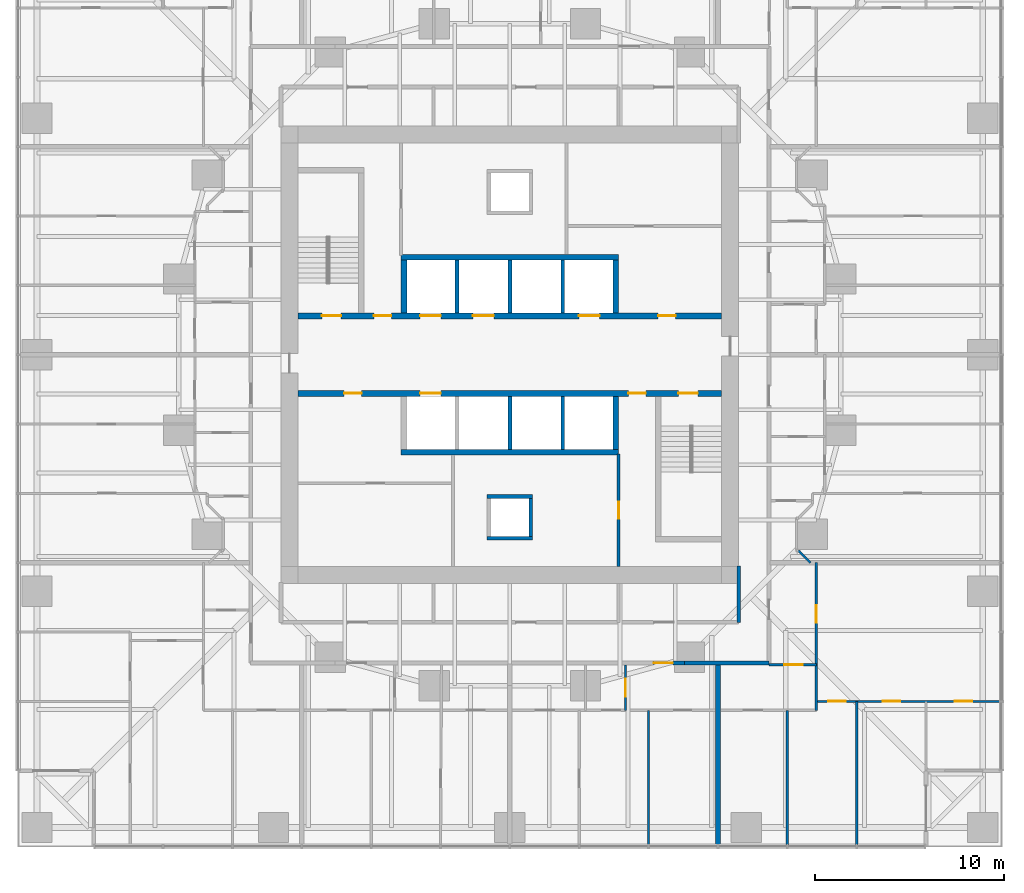
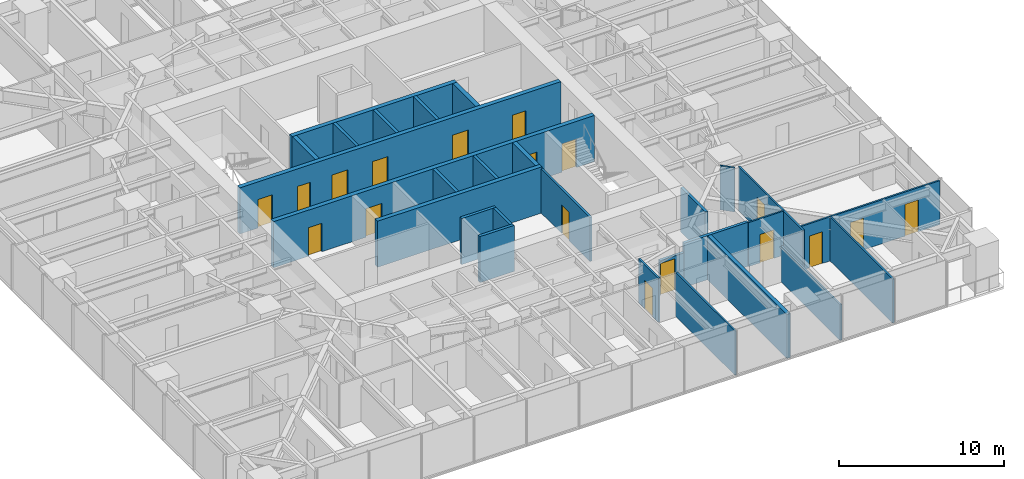
# One storey, part 11 of 18: 28 walls, 18 doors, 18 openings.
"""IFC4 building model written with IfcOpenShell, lengths in metres."""

import ifcopenshell
import ifcopenshell.guid

model = None  # the IFC model being written
_history = None  # IfcOwnerHistory: only IFC2X3 demands one
_inside = {}  # id of a spatial element -> (the spatial element, [elements in it])
_under = {}  # id of a project, library or spatial element -> (it, [spatial elements below it])
_declared = {}  # id of a project -> (the project, [libraries it declares])
_typed = {}  # id of a type object -> (the type object, [elements of that type])
_made_of = {}  # id of a material, layer set ... -> (it, [elements and type objects made of it])


def new_model(schema):
    """Start an empty IFC model of exactly this schema.

    Asked for "IFC4X3", IfcOpenShell would pick the latest addendum, in which some entities
    have other attributes; the version numbers below select the first issue.
    IFC2X3 requires an IfcOwnerHistory on every rooted entity: one is made here for all.
    """
    global model, _history
    if schema == "IFC4X3":
        model = ifcopenshell.file(schema_version=(4, 3, 0, 0))
    else:
        model = ifcopenshell.file(schema=schema)
    _inside.clear()
    _under.clear()
    _declared.clear()
    _typed.clear()
    _made_of.clear()
    _history = None
    if model.schema == "IFC2X3":
        org = make("IfcOrganization", Name="unknown")
        user = make(
            "IfcPersonAndOrganization",
            ThePerson=make("IfcPerson", FamilyName="unknown"),
            TheOrganization=org,
        )
        app = make(
            "IfcApplication",
            ApplicationDeveloper=org,
            Version="unknown",
            ApplicationFullName="unknown",
            ApplicationIdentifier="unknown",
        )
        _history = make(
            "IfcOwnerHistory",
            OwningUser=user,
            OwningApplication=app,
            ChangeAction="ADDED",
            CreationDate=0,
        )
    return model


def make(cls, **values):
    """One entity of the class cls with the attributes given. An attribute that is None is left unset."""
    return model.create_entity(
        cls, **{name: value for name, value in values.items() if value is not None}
    )


def rooted(cls, **values):
    """An entity with a GlobalId (a new one), such as an element, a storey or a relation."""
    return make(cls, GlobalId=ifcopenshell.guid.new(), OwnerHistory=_history, **values)


def si_unit(unit_type, name, prefix=None):
    """IfcSIUnit, for example si_unit("LENGTHUNIT", "METRE", prefix="MILLI")."""
    return make("IfcSIUnit", UnitType=unit_type, Prefix=prefix, Name=name)


def assignment(units):
    """IfcUnitAssignment: the units of a project."""
    return None if units is None else make("IfcUnitAssignment", Units=units)


def point(xyz):
    """IfcCartesianPoint."""
    return None if xyz is None else make("IfcCartesianPoint", Coordinates=xyz)


def direction(xyz):
    """IfcDirection."""
    return None if xyz is None else make("IfcDirection", DirectionRatios=xyz)


def frame(location, z_axis=None, x_axis=None):
    """IfcAxis2Placement3D, a coordinate frame: its origin and axes. An axis left out is left unset."""
    return make(
        "IfcAxis2Placement3D",
        Location=point(location),
        Axis=direction(z_axis),
        RefDirection=direction(x_axis),
    )


def frame_2d(location, x_axis=None):
    """IfcAxis2Placement2D, a coordinate frame in the plane: its origin and x axis."""
    return make(
        "IfcAxis2Placement2D", Location=point(location), RefDirection=direction(x_axis)
    )


def origin():
    """The frame at (0, 0, 0) with its axes left unset."""
    return frame((0.0, 0.0, 0.0))


def place(relative_to, where):
    """IfcLocalPlacement: puts the frame where relative to a parent placement (None: the world)."""
    return make(
        "IfcLocalPlacement", PlacementRelTo=relative_to, RelativePlacement=where
    )


def context(
    kind, dimensions, precision=None, world=None, true_north=None, identifier=None
):
    """IfcGeometricRepresentationContext, for example the 3D "Model" context."""
    return make(
        "IfcGeometricRepresentationContext",
        ContextIdentifier=identifier,
        ContextType=kind,
        CoordinateSpaceDimension=dimensions,
        Precision=precision,
        WorldCoordinateSystem=world,
        TrueNorth=true_north,
    )


def subcontext(parent, identifier, kind, view, scale=None):
    """IfcGeometricRepresentationSubContext, for example "Body" below "Model"."""
    return make(
        "IfcGeometricRepresentationSubContext",
        ContextIdentifier=identifier,
        ContextType=kind,
        ParentContext=parent,
        TargetScale=scale,
        TargetView=view,
    )


def project(units=None, contexts=None):
    """IfcProject with its units and contexts."""
    return rooted(
        "IfcProject",
        Name="project",
        RepresentationContexts=contexts,
        UnitsInContext=assignment(units),
    )


def spatial(cls, under=None, at=None, **own):
    """A site, building, storey or space (cls), placed at a placement, below another one or the project."""
    s = rooted(cls, ObjectPlacement=at, **own)
    if under is not None:
        _under.setdefault(under.id(), (under, []))[1].append(s)
    return s


def profile(cls, at=None, kind="AREA", **sizes):
    """A parametric profile (cls). Its sizes go by their IFC names, for example OverallWidth=200.0."""
    return make(cls, ProfileType=kind, Position=at, **sizes)


def rectangle(**sizes):
    """IfcRectangleProfileDef."""
    return profile("IfcRectangleProfileDef", **sizes)


def extrude(swept, where, along, depth):
    """IfcExtrudedAreaSolid: the profile swept, set in the frame where, extruded along a direction by depth."""
    return make(
        "IfcExtrudedAreaSolid",
        SweptArea=swept,
        Position=where,
        ExtrudedDirection=direction(along),
        Depth=depth,
    )


def shape(context_of_items, identifier, shape_type, items):
    """IfcShapeRepresentation: the items that make up one representation, for example the "Body"."""
    return make(
        "IfcShapeRepresentation",
        ContextOfItems=context_of_items,
        RepresentationIdentifier=identifier,
        RepresentationType=shape_type,
        Items=items,
    )


def material(Name=None, Category=None):
    """IfcMaterial."""
    return make("IfcMaterial", Name=Name, Category=Category)


def layer(
    of_material, thickness, ventilated=None, Name=None, Category=None, Priority=None
):
    """IfcMaterialLayer: one layer of a wall or slab, of a material (None: an air gap)."""
    return make(
        "IfcMaterialLayer",
        Material=of_material,
        LayerThickness=thickness,
        IsVentilated=ventilated,
        Name=Name,
        Category=Category,
        Priority=Priority,
    )


def layer_set(layers, Name=None):
    """IfcMaterialLayerSet."""
    return make("IfcMaterialLayerSet", MaterialLayers=layers, LayerSetName=Name)


def made_of(thing, what):
    """Note that an element or type object is made of a material, layer set ...; save() writes the relation."""
    if what is not None:
        _made_of.setdefault(what.id(), (what, []))[1].append(thing)
    return thing


def type_object(cls, material=None, **own):
    """A type object (cls), such as IfcWallType, which elements share."""
    return made_of(rooted(cls, **own), material)


def element(
    cls,
    number,
    at=None,
    inside=None,
    cuts=None,
    type_object=None,
    material=None,
    context=None,
    identifier="Body",
    shape_type=None,
    held_by="IfcProductDefinitionShape",
    body=None,
    shapes=None,
    **own,
):
    """One element of the class cls, such as IfcWall. Its Tag is "e" and its number.

    at: its placement. inside: the storey or other place that contains it. cuts: it is an
    opening in that element (IfcRelVoidsElement). A single representation is given by context,
    identifier, shape_type and body (its items); several are given by shapes. held_by: the class
    of the entity that holds the representations. save() writes the other relations.
    """
    e = rooted(cls, Tag="e%d" % number, ObjectPlacement=at, **own)
    if body is not None:
        shapes = [shape(context, identifier, shape_type, body)]
    if shapes is not None:
        e.Representation = make(held_by, Representations=shapes)
    if inside is not None:
        _inside.setdefault(inside.id(), (inside, []))[1].append(e)
    if cuts is not None:
        rooted(
            "IfcRelVoidsElement", RelatingBuildingElement=cuts, RelatedOpeningElement=e
        )
    if type_object is not None:
        _typed.setdefault(type_object.id(), (type_object, []))[1].append(e)
    return made_of(e, material)


def fill(opening, filler):
    """IfcRelFillsElement: the door or window that sits in an opening."""
    return rooted(
        "IfcRelFillsElement",
        RelatingOpeningElement=opening,
        RelatedBuildingElement=filler,
    )


def aggregate(whole, parts):
    """IfcRelAggregates: a whole, such as a stair, and the parts it consists of."""
    return rooted("IfcRelAggregates", RelatingObject=whole, RelatedObjects=parts)


def save(model, path):
    """Write the relations noted so far, then the file.

    IfcRelAggregates (storeys below a building ...), IfcRelContainedInSpatialStructure (elements
    in a storey), IfcRelDefinesByType, IfcRelAssociatesMaterial and IfcRelDeclares: one each for
    every whole, place, type object, material and project.
    """
    for whole, parts in _under.values():
        aggregate(whole, parts)
    for where, things in _inside.values():
        rooted(
            "IfcRelContainedInSpatialStructure",
            RelatedElements=things,
            RelatingStructure=where,
        )
    for kind, things in _typed.values():
        rooted("IfcRelDefinesByType", RelatedObjects=things, RelatingType=kind)
    for what, things in _made_of.values():
        rooted("IfcRelAssociatesMaterial", RelatedObjects=things, RelatingMaterial=what)
    for by, libraries in _declared.values():
        rooted("IfcRelDeclares", RelatingContext=by, RelatedDefinitions=libraries)
    model.write(path)


model = new_model("IFC4")

# Units and contexts
model_context = context("Model", 3, precision=1e-05, world=origin(), true_north=direction((0.0, 1.0)))
body_context = subcontext(model_context, "Body", "Model", "MODEL_VIEW")
ifc_project = project(units=[si_unit("LENGTHUNIT", "METRE"), si_unit("AREAUNIT", "SQUARE_METRE"), si_unit("VOLUMEUNIT", "CUBIC_METRE"), si_unit("PLANEANGLEUNIT", "RADIAN"), si_unit("MASSUNIT", "GRAM", prefix="KILO")], contexts=[model_context])

# Site, building, storey
site_placement = place(None, origin())
site = spatial("IfcSite", under=ifc_project, at=site_placement, CompositionType="ELEMENT")
building_placement = place(site_placement, origin())
building = spatial("IfcBuilding", under=site, at=building_placement, Name="Torsade Residences", CompositionType="ELEMENT")
storey_placement = place(building_placement, frame((0.0, 0.0, 28.60009765625)))
storey = spatial("IfcBuildingStorey", under=building, at=storey_placement, Name="L07", CompositionType="ELEMENT", Elevation=28.60009765625)

# Wall, openings, doors
ifc_material_1 = material(Name="Concrete 80 MPa", Category="concrete")
ifc_layer_1 = layer(ifc_material_1, 0.300048828125)
ifc_layer_set_1 = layer_set([ifc_layer_1], Name="Concrete 80 MPa")
wall_type_1 = type_object("IfcWallType", Name="CORE INTERNAL WALL 300", PredefinedType="SHEAR", material=ifc_layer_set_1)
wall_1_placement = place(storey_placement, frame((28.800048828125, 32.050048828125, 0.0), z_axis=(0.0, 0.0, 1.0), x_axis=(1.0, 0.0, 0.0)))
wall_1 = element("IfcWall", 1, at=wall_1_placement, inside=storey, type_object=wall_type_1, Name="Core wall LN L07", PredefinedType="SHEAR", context=body_context, shape_type="SweptSolid", body=[
    extrude(rectangle(XDim=22.39990234375, YDim=0.300048828125, at=frame_2d((11.199951171875, 0.0))), origin(), (0.0, 0.0, 1.0), 3.39990234375),
])
opening_1_placement = place(wall_1_placement, frame((19.0400390625, 0.0, 0.0)))
opening_1 = element("IfcOpeningElement", 2, at=opening_1_placement, cuts=wall_1, Name="Opening D06", PredefinedType="OPENING", context=body_context, shape_type="SweptSolid", body=[
    extrude(rectangle(XDim=0.919921875, YDim=2.10009765625, at=frame_2d((0.4599609375, 1.050048828125))), frame((0.0, 0.159912109375, 0.0), z_axis=(0.0, -1.0, 0.0), x_axis=(1.0, 0.0, 0.0)), (0.0, 0.0, 1.0), 0.320068359375),
])
opening_2_placement = place(wall_1_placement, frame((1.264892578125, 0.0, 0.0)))
opening_2 = element("IfcOpeningElement", 3, at=opening_2_placement, cuts=wall_1, Name="Opening D03", PredefinedType="OPENING", context=body_context, shape_type="SweptSolid", body=[
    extrude(rectangle(XDim=1.02001953125, YDim=2.10009765625, at=frame_2d((0.510009765625, 1.050048828125))), frame((0.0, 0.159912109375, 0.0), z_axis=(0.0, -1.0, 0.0), x_axis=(1.0, 0.0, 0.0)), (0.0, 0.0, 1.0), 0.320068359375),
])
opening_3_placement = place(wall_1_placement, frame((4.014892578125, 0.0, 0.0)))
opening_3 = element("IfcOpeningElement", 4, at=opening_3_placement, cuts=wall_1, Name="Opening D06", PredefinedType="OPENING", context=body_context, shape_type="SweptSolid", body=[
    extrude(rectangle(XDim=0.919921875, YDim=2.10009765625, at=frame_2d((0.4599609375, 1.050048828125))), frame((0.0, 0.159912109375, 0.0), z_axis=(0.0, -1.0, 0.0), x_axis=(1.0, 0.0, 0.0)), (0.0, 0.0, 1.0), 0.320068359375),
])
opening_4_placement = place(wall_1_placement, frame((6.449951171875, 0.0, 0.0)))
opening_4 = element("IfcOpeningElement", 5, at=opening_4_placement, cuts=wall_1, Name="Opening LD", PredefinedType="OPENING", context=body_context, shape_type="SweptSolid", body=[
    extrude(rectangle(XDim=1.10009765625, YDim=2.10009765625, at=frame_2d((0.550048828125, 1.050048828125))), frame((0.0, 0.159912109375, 0.0), z_axis=(0.0, -1.0, 0.0), x_axis=(1.0, 0.0, 0.0)), (0.0, 0.0, 1.0), 0.320068359375),
])
opening_5_placement = place(wall_1_placement, frame((9.25, 0.0, 0.0)))
opening_5 = element("IfcOpeningElement", 6, at=opening_5_placement, cuts=wall_1, Name="Opening LD", PredefinedType="OPENING", context=body_context, shape_type="SweptSolid", body=[
    extrude(rectangle(XDim=1.10009765625, YDim=2.10009765625, at=frame_2d((0.550048828125, 1.050048828125))), frame((0.0, 0.159912109375, 0.0), z_axis=(0.0, -1.0, 0.0), x_axis=(1.0, 0.0, 0.0)), (0.0, 0.0, 1.0), 0.320068359375),
])
opening_6_placement = place(wall_1_placement, frame((14.85009765625, 0.0, 0.0)))
opening_6 = element("IfcOpeningElement", 7, at=opening_6_placement, cuts=wall_1, Name="Opening LD", PredefinedType="OPENING", context=body_context, shape_type="SweptSolid", body=[
    extrude(rectangle(XDim=1.10009765625, YDim=2.10009765625, at=frame_2d((0.550048828125, 1.050048828125))), frame((0.0, 0.159912109375, 0.0), z_axis=(0.0, -1.0, 0.0), x_axis=(1.0, 0.0, 0.0)), (0.0, 0.0, 1.0), 0.320068359375),
])
ifc_material_2 = material(Name="Steel-framed fire door", Category="steel")
door_type_1 = type_object("IfcDoorType", Name="FIRE DOOR 1020", OperationType="NOTDEFINED", PredefinedType="DOOR", material=ifc_material_2)
door_1_placement = place(opening_2_placement, origin())
door_1 = element("IfcDoor", 8, at=door_1_placement, inside=storey, type_object=door_type_1, Name="Exit door to fire-isolated stair ST1 L07", OperationType="SINGLE_SWING_RIGHT", OverallHeight=2.10009765625, OverallWidth=1.02001953125, PredefinedType="DOOR", context=body_context, shape_type="SweptSolid", body=[
    extrude(rectangle(XDim=1.02001953125, YDim=2.10009765625, at=frame_2d((0.510009765625, 1.050048828125))), frame((0.0, 0.02490234375, 0.0), z_axis=(0.0, -1.0, 0.0), x_axis=(1.0, 0.0, 0.0)), (0.0, 0.0, 1.0), 0.050048828125),
])
fill(opening_2, door_1)
ifc_material_3 = material(Name="Steel-framed fire door", Category="steel")
door_type_2 = type_object("IfcDoorType", Name="FIRE DOOR 920", OperationType="NOTDEFINED", PredefinedType="DOOR", material=ifc_material_3)
door_2_placement = place(opening_1_placement, origin())
door_2 = element("IfcDoor", 9, at=door_2_placement, inside=storey, type_object=door_type_2, Name="Door Lift lobby to Refuse room", OperationType="SINGLE_SWING_LEFT", OverallHeight=2.10009765625, OverallWidth=0.919921875, PredefinedType="DOOR", context=body_context, shape_type="SweptSolid", body=[
    extrude(rectangle(XDim=0.919921875, YDim=2.10009765625, at=frame_2d((0.4599609375, 1.050048828125))), frame((0.0, 0.02490234375, 0.0), z_axis=(0.0, -1.0, 0.0), x_axis=(1.0, 0.0, 0.0)), (0.0, 0.0, 1.0), 0.050048828125),
])
fill(opening_1, door_2)
door_3_placement = place(opening_3_placement, origin())
door_3 = element("IfcDoor", 10, at=door_3_placement, inside=storey, type_object=door_type_2, Name="Door Lift lobby to Main switchboard store", OperationType="SINGLE_SWING_LEFT", OverallHeight=2.10009765625, OverallWidth=0.919921875, PredefinedType="DOOR", context=body_context, shape_type="SweptSolid", body=[
    extrude(rectangle(XDim=0.919921875, YDim=2.10009765625, at=frame_2d((0.4599609375, 1.050048828125))), frame((0.0, 0.02490234375, 0.0), z_axis=(0.0, -1.0, 0.0), x_axis=(1.0, 0.0, 0.0)), (0.0, 0.0, 1.0), 0.050048828125),
])
fill(opening_3, door_3)
ifc_material_4 = material(Name="Stainless steel lift landing door", Category="steel")
door_type_3 = type_object("IfcDoorType", Name="LIFT LANDING DOOR 1100", OperationType="SLIDING_TO_LEFT", PredefinedType="DOOR", material=ifc_material_4)
door_4_placement = place(opening_4_placement, origin())
door_4 = element("IfcDoor", 11, at=door_4_placement, inside=storey, type_object=door_type_3, Name="Lift LA1 landing door L07", OperationType="SLIDING_TO_LEFT", OverallHeight=2.10009765625, OverallWidth=1.10009765625, PredefinedType="DOOR", context=body_context, shape_type="SweptSolid", body=[
    extrude(rectangle(XDim=1.10009765625, YDim=2.10009765625, at=frame_2d((0.550048828125, 1.050048828125))), frame((0.0, 0.02490234375, 0.0), z_axis=(0.0, -1.0, 0.0), x_axis=(1.0, 0.0, 0.0)), (0.0, 0.0, 1.0), 0.050048828125),
])
fill(opening_4, door_4)
door_5_placement = place(opening_5_placement, origin())
door_5 = element("IfcDoor", 12, at=door_5_placement, inside=storey, type_object=door_type_3, Name="Lift LA2 landing door L07", OperationType="SLIDING_TO_LEFT", OverallHeight=2.10009765625, OverallWidth=1.10009765625, PredefinedType="DOOR", context=body_context, shape_type="SweptSolid", body=[
    extrude(rectangle(XDim=1.10009765625, YDim=2.10009765625, at=frame_2d((0.550048828125, 1.050048828125))), frame((0.0, 0.02490234375, 0.0), z_axis=(0.0, -1.0, 0.0), x_axis=(1.0, 0.0, 0.0)), (0.0, 0.0, 1.0), 0.050048828125),
])
fill(opening_5, door_5)
door_6_placement = place(opening_6_placement, origin())
door_6 = element("IfcDoor", 13, at=door_6_placement, inside=storey, type_object=door_type_3, Name="Lift FL1 landing door L07", OperationType="SLIDING_TO_LEFT", OverallHeight=2.10009765625, OverallWidth=1.10009765625, PredefinedType="DOOR", context=body_context, shape_type="SweptSolid", body=[
    extrude(rectangle(XDim=1.10009765625, YDim=2.10009765625, at=frame_2d((0.550048828125, 1.050048828125))), frame((0.0, 0.02490234375, 0.0), z_axis=(0.0, -1.0, 0.0), x_axis=(1.0, 0.0, 0.0)), (0.0, 0.0, 1.0), 0.050048828125),
])
fill(opening_6, door_6)

wall_2_placement = place(storey_placement, frame((51.199951171875, 27.949951171875, 0.0), z_axis=(0.0, 0.0, 1.0), x_axis=(-1.0, 0.0, 0.0)))
wall_2 = element("IfcWall", 14, at=wall_2_placement, inside=storey, type_object=wall_type_1, Name="Core wall LS L07", PredefinedType="SHEAR", context=body_context, shape_type="SweptSolid", body=[
    extrude(rectangle(XDim=22.39990234375, YDim=0.300048828125, at=frame_2d((11.199951171875, 0.0))), origin(), (0.0, 0.0, 1.0), 3.39990234375),
])
opening_7_placement = place(wall_2_placement, frame((19.0400390625, 0.0, 0.0)))
opening_7 = element("IfcOpeningElement", 15, at=opening_7_placement, cuts=wall_2, Name="Opening D06", PredefinedType="OPENING", context=body_context, shape_type="SweptSolid", body=[
    extrude(rectangle(XDim=0.919921875, YDim=2.10009765625, at=frame_2d((0.4599609375, 1.050048828125))), frame((0.0, 0.159912109375, 0.0), z_axis=(0.0, -1.0, 0.0), x_axis=(1.0, 0.0, 0.0)), (0.0, 0.0, 1.0), 0.320068359375),
])
opening_8_placement = place(wall_2_placement, frame((1.264892578125, 0.0, 0.0)))
opening_8 = element("IfcOpeningElement", 16, at=opening_8_placement, cuts=wall_2, Name="Opening D03", PredefinedType="OPENING", context=body_context, shape_type="SweptSolid", body=[
    extrude(rectangle(XDim=1.02001953125, YDim=2.10009765625, at=frame_2d((0.510009765625, 1.050048828125))), frame((0.0, 0.159912109375, 0.0), z_axis=(0.0, -1.0, 0.0), x_axis=(1.0, 0.0, 0.0)), (0.0, 0.0, 1.0), 0.320068359375),
])
opening_9_placement = place(wall_2_placement, frame((4.014892578125, 0.0, 0.0)))
opening_9 = element("IfcOpeningElement", 17, at=opening_9_placement, cuts=wall_2, Name="Opening D06", PredefinedType="OPENING", context=body_context, shape_type="SweptSolid", body=[
    extrude(rectangle(XDim=0.919921875, YDim=2.10009765625, at=frame_2d((0.4599609375, 1.050048828125))), frame((0.0, 0.159912109375, 0.0), z_axis=(0.0, -1.0, 0.0), x_axis=(1.0, 0.0, 0.0)), (0.0, 0.0, 1.0), 0.320068359375),
])
opening_10_placement = place(wall_2_placement, frame((14.85009765625, 0.0, 0.0)))
opening_10 = element("IfcOpeningElement", 18, at=opening_10_placement, cuts=wall_2, Name="Opening LD", PredefinedType="OPENING", context=body_context, shape_type="SweptSolid", body=[
    extrude(rectangle(XDim=1.10009765625, YDim=2.10009765625, at=frame_2d((0.550048828125, 1.050048828125))), frame((0.0, 0.159912109375, 0.0), z_axis=(0.0, -1.0, 0.0), x_axis=(1.0, 0.0, 0.0)), (0.0, 0.0, 1.0), 0.320068359375),
])
door_7_placement = place(opening_8_placement, origin())
door_7 = element("IfcDoor", 19, at=door_7_placement, inside=storey, type_object=door_type_1, Name="Exit door to fire-isolated stair ST2 L07", OperationType="SINGLE_SWING_RIGHT", OverallHeight=2.10009765625, OverallWidth=1.02001953125, PredefinedType="DOOR", context=body_context, shape_type="SweptSolid", body=[
    extrude(rectangle(XDim=1.02001953125, YDim=2.10009765625, at=frame_2d((0.510009765625, 1.050048828125))), frame((0.0, 0.02490234375, 0.0), z_axis=(0.0, -1.0, 0.0), x_axis=(1.0, 0.0, 0.0)), (0.0, 0.0, 1.0), 0.050048828125),
])
fill(opening_8, door_7)
door_8_placement = place(opening_7_placement, origin())
door_8 = element("IfcDoor", 20, at=door_8_placement, inside=storey, type_object=door_type_2, Name="Door Lift lobby to Cleaner store", OperationType="SINGLE_SWING_LEFT", OverallHeight=2.10009765625, OverallWidth=0.919921875, PredefinedType="DOOR", context=body_context, shape_type="SweptSolid", body=[
    extrude(rectangle(XDim=0.919921875, YDim=2.10009765625, at=frame_2d((0.4599609375, 1.050048828125))), frame((0.0, 0.02490234375, 0.0), z_axis=(0.0, -1.0, 0.0), x_axis=(1.0, 0.0, 0.0)), (0.0, 0.0, 1.0), 0.050048828125),
])
fill(opening_7, door_8)
door_9_placement = place(opening_9_placement, origin())
door_9 = element("IfcDoor", 21, at=door_9_placement, inside=storey, type_object=door_type_2, Name="Door Lift lobby to Security and data store", OperationType="SINGLE_SWING_RIGHT", OverallHeight=2.10009765625, OverallWidth=0.919921875, PredefinedType="DOOR", context=body_context, shape_type="SweptSolid", body=[
    extrude(rectangle(XDim=0.919921875, YDim=2.10009765625, at=frame_2d((0.4599609375, 1.050048828125))), frame((0.0, 0.02490234375, 0.0), z_axis=(0.0, -1.0, 0.0), x_axis=(1.0, 0.0, 0.0)), (0.0, 0.0, 1.0), 0.050048828125),
])
fill(opening_9, door_9)
door_10_placement = place(opening_10_placement, origin())
door_10 = element("IfcDoor", 22, at=door_10_placement, inside=storey, type_object=door_type_3, Name="Lift FL2 landing door L07", OperationType="SLIDING_TO_LEFT", OverallHeight=2.10009765625, OverallWidth=1.10009765625, PredefinedType="DOOR", context=body_context, shape_type="SweptSolid", body=[
    extrude(rectangle(XDim=1.10009765625, YDim=2.10009765625, at=frame_2d((0.550048828125, 1.050048828125))), frame((0.0, 0.02490234375, 0.0), z_axis=(0.0, -1.0, 0.0), x_axis=(1.0, 0.0, 0.0)), (0.0, 0.0, 1.0), 0.050048828125),
])
fill(opening_10, door_10)

# Walls
for number, where, z_axis, x_axis, name in (
    (23, (34.25, 35.14990234375, 0.0), (0.0, 0.0, 1.0), (1.0, 0.0, 0.0), "Core wall BN L07"),
    (24, (45.75, 24.85009765625, 0.0), (0.0, 0.0, 1.0), (-1.0, 0.0, 0.0), "Core wall BS L07"),
):
    element("IfcWall", number, at=place(storey_placement, frame(where, z_axis=z_axis, x_axis=x_axis)), inside=storey, type_object=wall_type_1, Name=name, PredefinedType="SHEAR", context=body_context, shape_type="SweptSolid", body=[
        extrude(rectangle(XDim=11.5, YDim=0.300048828125, at=frame_2d((5.75, 0.0))), origin(), (0.0, 0.0, 1.0), 3.39990234375),
    ])
for number, where, z_axis, x_axis, name in (
    (25, (34.39990234375, 32.199951171875, 0.0), (0.0, 0.0, 1.0), (0.0, 1.0, 0.0), "Core wall DN0 L07"),
    (26, (45.60009765625, 27.800048828125, 0.0), (0.0, 0.0, 1.0), (0.0, -1.0, 0.0), "Core wall DS0 L07"),
    (27, (45.60009765625, 32.199951171875, 0.0), (0.0, 0.0, 1.0), (0.0, 1.0, 0.0), "Core wall DN4 L07"),
):
    element("IfcWall", number, at=place(storey_placement, frame(where, z_axis=z_axis, x_axis=x_axis)), inside=storey, type_object=wall_type_1, Name=name, PredefinedType="SHEAR", context=body_context, shape_type="SweptSolid", body=[
        extrude(rectangle(XDim=2.800048828125, YDim=0.300048828125, at=frame_2d((1.39990234375, 0.0))), origin(), (0.0, 0.0, 1.0), 3.39990234375),
    ])

# Wall, opening, door
ifc_material_5 = material(Name="Plasterboard on steel stud", Category="steel")
ifc_layer_2 = layer(ifc_material_5, 0.199951171875)
ifc_layer_set_2 = layer_set([ifc_layer_2], Name="Plasterboard on steel stud")
wall_type_2 = type_object("IfcWallType", Name="CORRIDOR WALL 200", PredefinedType="PARTITIONING", material=ifc_layer_set_2)
wall_3_placement = place(storey_placement, frame((47.558349609375, 13.699951171875, 0.0), z_axis=(0.0, 0.0, 1.0), x_axis=(1.0, 0.0, 0.0)))
wall_3 = element("IfcWall", 28, at=wall_3_placement, inside=storey, type_object=wall_type_2, Name="Corridor wall L07", PredefinedType="PARTITIONING", context=body_context, shape_type="SweptSolid", body=[
    extrude(rectangle(XDim=1.683349609375, YDim=0.199951171875, at=frame_2d((0.841796875, 0.0))), origin(), (0.0, 0.0, 1.0), 2.5498046875),
])
opening_11_placement = place(wall_3_placement, frame((0.03857421875, 0.0, 0.0)))
opening_11 = element("IfcOpeningElement", 29, at=opening_11_placement, cuts=wall_3, Name="Opening D01", PredefinedType="OPENING", context=body_context, shape_type="SweptSolid", body=[
    extrude(rectangle(XDim=1.02001953125, YDim=2.340087890625, at=frame_2d((0.510009765625, 1.169921875))), frame((0.0, 0.10986328125, 0.0), z_axis=(0.0, -1.0, 0.0), x_axis=(1.0, 0.0, 0.0)), (0.0, 0.0, 1.0), 0.219970703125),
])
ifc_material_6 = material(Name="Solid-core timber fire door", Category="wood")
door_type_4 = type_object("IfcDoorType", Name="APARTMENT ENTRY DOOR 1020x2340", OperationType="NOTDEFINED", PredefinedType="DOOR", material=ifc_material_6)
door_11_placement = place(opening_11_placement, origin())
door_11 = element("IfcDoor", 30, at=door_11_placement, inside=storey, type_object=door_type_4, Name="Door Residential corridor to Kitchen and dining", OperationType="SINGLE_SWING_RIGHT", OverallHeight=2.340087890625, OverallWidth=1.02001953125, PredefinedType="DOOR", context=body_context, shape_type="SweptSolid", body=[
    extrude(rectangle(XDim=1.02001953125, YDim=2.340087890625, at=frame_2d((0.510009765625, 1.169921875))), frame((0.0, 0.02490234375, 0.0), z_axis=(0.0, -1.0, 0.0), x_axis=(1.0, 0.0, 0.0)), (0.0, 0.0, 1.0), 0.050048828125),
])
fill(opening_11, door_11)

# Walls
wall_4_placement = place(storey_placement, frame((49.24169921875, 13.699951171875, 0.0), z_axis=(0.0, 0.0, 1.0), x_axis=(1.0, 0.0, 0.0)))
element("IfcWall", 31, at=wall_4_placement, inside=storey, type_object=wall_type_2, Name="Corridor wall L07", PredefinedType="PARTITIONING", context=body_context, shape_type="SweptSolid", body=[
    extrude(rectangle(XDim=4.458251953125, YDim=0.199951171875, at=frame_2d((2.22900390625, 0.0))), origin(), (0.0, 0.0, 1.0), 3.25),
])
wall_5_placement = place(storey_placement, frame((52.10009765625, 15.85009765625, 0.0), z_axis=(0.0, 0.0, 1.0), x_axis=(0.0, 1.0, 0.0)))
element("IfcWall", 32, at=wall_5_placement, inside=storey, type_object=wall_type_2, Name="Corridor wall L07", PredefinedType="PARTITIONING", context=body_context, shape_type="SweptSolid", body=[
    extrude(rectangle(XDim=2.969970703125, YDim=0.199951171875, at=frame_2d((1.48486328125, 0.0))), origin(), (0.0, 0.0, 1.0), 3.25),
])
ifc_material_7 = material(Name="Reinforced blockwork", Category="masonry")
ifc_layer_3 = layer(ifc_material_7, 0.199951171875)
ifc_layer_set_3 = layer_set([ifc_layer_3], Name="Reinforced blockwork")
wall_type_3 = type_object("IfcWallType", Name="LIFT SHAFT DIVIDING WALL 200", PredefinedType="SOLIDWALL", material=ifc_layer_set_3)
for number, where, z_axis, x_axis, name in (
    (33, (37.199951171875, 32.199951171875, 0.0), (0.0, 0.0, 1.0), (0.0, 1.0, 0.0), "Core wall DN1 L07"),
    (34, (42.800048828125, 27.800048828125, 0.0), (0.0, 0.0, 1.0), (0.0, -1.0, 0.0), "Core wall DS1 L07"),
    (35, (40.0, 32.199951171875, 0.0), (0.0, 0.0, 1.0), (0.0, 1.0, 0.0), "Core wall DN2 L07"),
    (36, (40.0, 27.800048828125, 0.0), (0.0, 0.0, 1.0), (0.0, -1.0, 0.0), "Core wall DS2 L07"),
    (37, (42.800048828125, 32.199951171875, 0.0), (0.0, 0.0, 1.0), (0.0, 1.0, 0.0), "Core wall DN3 L07"),
):
    element("IfcWall", number, at=place(storey_placement, frame(where, z_axis=z_axis, x_axis=x_axis)), inside=storey, type_object=wall_type_3, Name=name, PredefinedType="SOLIDWALL", context=body_context, shape_type="SweptSolid", body=[
        extrude(rectangle(XDim=2.800048828125, YDim=0.199951171875, at=frame_2d((1.39990234375, 0.0))), origin(), (0.0, 0.0, 1.0), 3.39990234375),
    ])

# Wall, opening, door
ifc_material_8 = material(Name="Plasterboard on steel stud", Category="steel")
ifc_layer_4 = layer(ifc_material_8, 0.1201171875)
ifc_layer_set_4 = layer_set([ifc_layer_4], Name="Plasterboard on steel stud")
wall_type_4 = type_object("IfcWallType", Name="PARTITION 120", PredefinedType="PARTITIONING", material=ifc_layer_set_4)
wall_6_placement = place(storey_placement, frame((46.11376953125, 11.199951171875, 0.0), z_axis=(0.0, 0.0, 1.0), x_axis=(0.0, 1.0, 0.0)))
wall_6 = element("IfcWall", 38, at=wall_6_placement, inside=storey, type_object=wall_type_4, Name="Partition L07", PredefinedType="PARTITIONING", context=body_context, shape_type="SweptSolid", body=[
    extrude(rectangle(XDim=2.400146484375, YDim=0.1201171875, at=frame_2d((1.2001953125, 0.0))), origin(), (0.0, 0.0, 1.0), 3.25),
])
opening_12_placement = place(wall_6_placement, frame((0.719970703125, 0.0, 0.0)))
opening_12 = element("IfcOpeningElement", 39, at=opening_12_placement, cuts=wall_6, Name="Opening D05", PredefinedType="OPENING", context=body_context, shape_type="SweptSolid", body=[
    extrude(rectangle(XDim=0.9599609375, YDim=2.10009765625, at=frame_2d((0.47998046875, 1.050048828125))), frame((0.0, 0.070068359375, 0.0), z_axis=(0.0, -1.0, 0.0), x_axis=(1.0, 0.0, 0.0)), (0.0, 0.0, 1.0), 0.14013671875),
])
ifc_material_9 = material(Name="Hollow-core timber door in a steel cavity frame", Category="steel")
door_type_5 = type_object("IfcDoorType", Name="BATHROOM CAVITY SLIDING DOOR 960", OperationType="SLIDING_TO_LEFT", PredefinedType="DOOR", material=ifc_material_9)
door_12_placement = place(opening_12_placement, origin())
door_12 = element("IfcDoor", 40, at=door_12_placement, inside=storey, type_object=door_type_5, Name="Door Kitchen and dining to Bathroom", OperationType="SLIDING_TO_LEFT", OverallHeight=2.10009765625, OverallWidth=0.9599609375, PredefinedType="DOOR", context=body_context, shape_type="SweptSolid", body=[
    extrude(rectangle(XDim=0.9599609375, YDim=2.10009765625, at=frame_2d((0.47998046875, 1.050048828125))), frame((0.0, 0.02490234375, 0.0), z_axis=(0.0, -1.0, 0.0), x_axis=(1.0, 0.0, 0.0)), (0.0, 0.0, 1.0), 0.050048828125),
])
fill(opening_12, door_12)

# Wall
wall_7_placement = place(storey_placement, frame((47.333251953125, 4.0400390625, 0.0), z_axis=(0.0, 0.0, 1.0), x_axis=(0.0, 1.0, 0.0)))
element("IfcWall", 41, at=wall_7_placement, inside=storey, type_object=wall_type_4, Name="Partition L07", PredefinedType="PARTITIONING", context=body_context, shape_type="SweptSolid", body=[
    extrude(rectangle(XDim=7.159912109375, YDim=0.1201171875, at=frame_2d((3.580078125, 0.0))), origin(), (0.0, 0.0, 1.0), 3.25),
])

# Wall, opening, door
wall_8_placement = place(storey_placement, frame((56.199951171875, 13.60009765625, 0.0), z_axis=(0.0, 0.0, 1.0), x_axis=(-1.0, 0.0, 0.0)))
wall_8 = element("IfcWall", 42, at=wall_8_placement, inside=storey, type_object=wall_type_4, Name="Partition L07", PredefinedType="PARTITIONING", context=body_context, shape_type="SweptSolid", body=[
    extrude(rectangle(XDim=2.5, YDim=0.1201171875, at=frame_2d((1.25, 0.0))), origin(), (0.0, 0.0, 1.0), 3.25),
])
opening_13_placement = place(wall_8_placement, frame((0.719970703125, 0.0, 0.0)))
opening_13 = element("IfcOpeningElement", 43, at=opening_13_placement, cuts=wall_8, Name="Opening D05", PredefinedType="OPENING", context=body_context, shape_type="SweptSolid", body=[
    extrude(rectangle(XDim=0.9599609375, YDim=2.10009765625, at=frame_2d((0.47998046875, 1.050048828125))), frame((0.0, 0.070068359375, 0.0), z_axis=(0.0, -1.0, 0.0), x_axis=(1.0, 0.0, 0.0)), (0.0, 0.0, 1.0), 0.14013671875),
])
door_13_placement = place(opening_13_placement, origin())
door_13 = element("IfcDoor", 44, at=door_13_placement, inside=storey, type_object=door_type_5, Name="Door Kitchen and dining to Bathroom", OperationType="SLIDING_TO_LEFT", OverallHeight=2.10009765625, OverallWidth=0.9599609375, PredefinedType="DOOR", context=body_context, shape_type="SweptSolid", body=[
    extrude(rectangle(XDim=0.9599609375, YDim=2.10009765625, at=frame_2d((0.47998046875, 1.050048828125))), frame((0.0, 0.02490234375, 0.0), z_axis=(0.0, -1.0, 0.0), x_axis=(1.0, 0.0, 0.0)), (0.0, 0.0, 1.0), 0.050048828125),
])
fill(opening_13, door_13)

wall_9_placement = place(storey_placement, frame((56.199951171875, 19.0, 0.0), z_axis=(0.0, 0.0, 1.0), x_axis=(0.0, -1.0, 0.0)))
wall_9 = element("IfcWall", 45, at=wall_9_placement, inside=storey, type_object=wall_type_4, Name="Partition L07", PredefinedType="PARTITIONING", context=body_context, shape_type="SweptSolid", body=[
    extrude(rectangle(XDim=7.800048828125, YDim=0.1201171875, at=frame_2d((3.89990234375, 0.0))), origin(), (0.0, 0.0, 1.0), 3.25),
])
opening_14_placement = place(wall_9_placement, frame((2.239990234375, 0.0, 0.0)))
opening_14 = element("IfcOpeningElement", 46, at=opening_14_placement, cuts=wall_9, Name="Opening D02", PredefinedType="OPENING", context=body_context, shape_type="SweptSolid", body=[
    extrude(rectangle(XDim=0.919921875, YDim=2.340087890625, at=frame_2d((0.4599609375, 1.169921875))), frame((0.0, 0.070068359375, 0.0), z_axis=(0.0, -1.0, 0.0), x_axis=(1.0, 0.0, 0.0)), (0.0, 0.0, 1.0), 0.14013671875),
])
ifc_material_10 = material(Name="Hollow-core timber door", Category="wood")
door_type_6 = type_object("IfcDoorType", Name="INTERNAL DOOR 920x2340", OperationType="NOTDEFINED", PredefinedType="DOOR", material=ifc_material_10)
door_14_placement = place(opening_14_placement, origin())
door_14 = element("IfcDoor", 47, at=door_14_placement, inside=storey, type_object=door_type_6, Name="Door Kitchen and dining to Living room", OperationType="SINGLE_SWING_LEFT", OverallHeight=2.340087890625, OverallWidth=0.919921875, PredefinedType="DOOR", context=body_context, shape_type="SweptSolid", body=[
    extrude(rectangle(XDim=0.919921875, YDim=2.340087890625, at=frame_2d((0.4599609375, 1.169921875))), frame((0.0, 0.02490234375, 0.0), z_axis=(0.0, -1.0, 0.0), x_axis=(1.0, 0.0, 0.0)), (0.0, 0.0, 1.0), 0.050048828125),
])
fill(opening_14, door_14)

# Wall, openings, doors
wall_10_placement = place(storey_placement, frame((65.9599609375, 11.666748046875, 0.0), z_axis=(0.0, 0.0, 1.0), x_axis=(-1.0, 0.0, 0.0)))
wall_10 = element("IfcWall", 48, at=wall_10_placement, inside=storey, type_object=wall_type_4, Name="Partition L07", PredefinedType="PARTITIONING", context=body_context, shape_type="SweptSolid", body=[
    extrude(rectangle(XDim=9.760009765625, YDim=0.1201171875, at=frame_2d((4.8798828125, 0.0))), origin(), (0.0, 0.0, 1.0), 3.25),
])
opening_15_placement = place(wall_10_placement, frame((1.52490234375, 0.0, 0.0)))
opening_15 = element("IfcOpeningElement", 49, at=opening_15_placement, cuts=wall_10, Name="Opening D02", PredefinedType="OPENING", context=body_context, shape_type="SweptSolid", body=[
    extrude(rectangle(XDim=0.919921875, YDim=2.340087890625, at=frame_2d((0.4599609375, 1.169921875))), frame((0.0, 0.070068359375, 0.0), z_axis=(0.0, -1.0, 0.0), x_axis=(1.0, 0.0, 0.0)), (0.0, 0.0, 1.0), 0.14013671875),
])
opening_16_placement = place(wall_10_placement, frame((5.333251953125, 0.0, 0.0)))
opening_16 = element("IfcOpeningElement", 50, at=opening_16_placement, cuts=wall_10, Name="Opening D02", PredefinedType="OPENING", context=body_context, shape_type="SweptSolid", body=[
    extrude(rectangle(XDim=0.919921875, YDim=2.340087890625, at=frame_2d((0.4599609375, 1.169921875))), frame((0.0, 0.070068359375, 0.0), z_axis=(0.0, -1.0, 0.0), x_axis=(1.0, 0.0, 0.0)), (0.0, 0.0, 1.0), 0.14013671875),
])
opening_17_placement = place(wall_10_placement, frame((8.208251953125, 0.0, 0.0)))
opening_17 = element("IfcOpeningElement", 51, at=opening_17_placement, cuts=wall_10, Name="Opening D02", PredefinedType="OPENING", context=body_context, shape_type="SweptSolid", body=[
    extrude(rectangle(XDim=0.919921875, YDim=2.340087890625, at=frame_2d((0.4599609375, 1.169921875))), frame((0.0, 0.070068359375, 0.0), z_axis=(0.0, -1.0, 0.0), x_axis=(1.0, 0.0, 0.0)), (0.0, 0.0, 1.0), 0.14013671875),
])
door_15_placement = place(opening_15_placement, origin())
door_15 = element("IfcDoor", 52, at=door_15_placement, inside=storey, type_object=door_type_6, Name="Door Living room to Family room", OperationType="SINGLE_SWING_RIGHT", OverallHeight=2.340087890625, OverallWidth=0.919921875, PredefinedType="DOOR", context=body_context, shape_type="SweptSolid", body=[
    extrude(rectangle(XDim=0.919921875, YDim=2.340087890625, at=frame_2d((0.4599609375, 1.169921875))), frame((0.0, 0.02490234375, 0.0), z_axis=(0.0, -1.0, 0.0), x_axis=(1.0, 0.0, 0.0)), (0.0, 0.0, 1.0), 0.050048828125),
])
fill(opening_15, door_15)
door_16_placement = place(opening_16_placement, origin())
door_16 = element("IfcDoor", 53, at=door_16_placement, inside=storey, type_object=door_type_6, Name="Door Living room to Bedroom 1", OperationType="SINGLE_SWING_RIGHT", OverallHeight=2.340087890625, OverallWidth=0.919921875, PredefinedType="DOOR", context=body_context, shape_type="SweptSolid", body=[
    extrude(rectangle(XDim=0.919921875, YDim=2.340087890625, at=frame_2d((0.4599609375, 1.169921875))), frame((0.0, 0.02490234375, 0.0), z_axis=(0.0, -1.0, 0.0), x_axis=(1.0, 0.0, 0.0)), (0.0, 0.0, 1.0), 0.050048828125),
])
fill(opening_16, door_16)
door_17_placement = place(opening_17_placement, origin())
door_17 = element("IfcDoor", 54, at=door_17_placement, inside=storey, type_object=door_type_6, Name="Door Living room to Bedroom 2", OperationType="SINGLE_SWING_LEFT", OverallHeight=2.340087890625, OverallWidth=0.919921875, PredefinedType="DOOR", context=body_context, shape_type="SweptSolid", body=[
    extrude(rectangle(XDim=0.919921875, YDim=2.340087890625, at=frame_2d((0.4599609375, 1.169921875))), frame((0.0, 0.02490234375, 0.0), z_axis=(0.0, -1.0, 0.0), x_axis=(1.0, 0.0, 0.0)), (0.0, 0.0, 1.0), 0.050048828125),
])
fill(opening_17, door_17)

# Walls
wall_11_placement = place(storey_placement, frame((58.333251953125, 4.0400390625, 0.0), z_axis=(0.0, 0.0, 1.0), x_axis=(0.0, 1.0, 0.0)))
element("IfcWall", 55, at=wall_11_placement, inside=storey, type_object=wall_type_4, Name="Partition L07", PredefinedType="PARTITIONING", context=body_context, shape_type="SweptSolid", body=[
    extrude(rectangle(XDim=7.626708984375, YDim=0.1201171875, at=frame_2d((3.8134765625, 0.0))), origin(), (0.0, 0.0, 1.0), 3.25),
])
wall_12_placement = place(storey_placement, frame((54.666748046875, 4.0400390625, 0.0), z_axis=(0.0, 0.0, 1.0), x_axis=(0.0, 1.0, 0.0)))
element("IfcWall", 56, at=wall_12_placement, inside=storey, type_object=wall_type_4, Name="Partition L07", PredefinedType="PARTITIONING", context=body_context, shape_type="SweptSolid", body=[
    extrude(rectangle(XDim=7.159912109375, YDim=0.1201171875, at=frame_2d((3.580078125, 0.0))), origin(), (0.0, 0.0, 1.0), 2.637939453125),
])
wall_13_placement = place(storey_placement, frame((55.25, 19.64990234375, 0.0), z_axis=(0.0, 0.0, 1.0), x_axis=(0.707106781187, -0.707106781187, 0.0)))
element("IfcWall", 57, at=wall_13_placement, inside=storey, type_object=wall_type_4, Name="Partition L07", PredefinedType="PARTITIONING", context=body_context, shape_type="SweptSolid", body=[
    extrude(rectangle(XDim=0.919189453125, YDim=0.1201171875, at=frame_2d((0.45947265625, 0.0))), origin(), (0.0, 0.0, 1.0), 3.25),
])
ifc_material_11 = material(Name="Masonry-lined stud party wall", Category="masonry")
ifc_layer_5 = layer(ifc_material_11, 0.25)
ifc_layer_set_5 = layer_set([ifc_layer_5], Name="Masonry-lined stud party wall")
wall_type_5 = type_object("IfcWallType", Name="PARTY WALL 250", PredefinedType="PARTITIONING", material=ifc_layer_set_5)
wall_14_placement = place(storey_placement, frame((51.0, 4.0, 0.0), z_axis=(0.0, 0.0, 1.0), x_axis=(0.0, 1.0, 0.0)))
element("IfcWall", 58, at=wall_14_placement, inside=storey, type_object=wall_type_5, Name="Party wall L07", PredefinedType="PARTITIONING", context=body_context, shape_type="SweptSolid", body=[
    extrude(rectangle(XDim=9.639892578125, YDim=0.25, at=frame_2d((4.81982421875, 0.0))), origin(), (0.0, 0.0, 1.0), 3.25),
])
ifc_material_12 = material(Name="Reinforced blockwork", Category="masonry")
ifc_layer_6 = layer(ifc_material_12, 0.199951171875)
ifc_layer_set_6 = layer_set([ifc_layer_6], Name="Reinforced blockwork")
wall_type_6 = type_object("IfcWallType", Name="RISER SHAFT WALL 200", PredefinedType="SOLIDWALL", material=ifc_layer_set_6)
wall_15_placement = place(storey_placement, frame((41.10009765625, 22.39990234375, 0.0), z_axis=(0.0, 0.0, 1.0), x_axis=(0.0, -1.0, 0.0)))
element("IfcWall", 59, at=wall_15_placement, inside=storey, type_object=wall_type_6, Name="Core wall RS2b L07", PredefinedType="SOLIDWALL", context=body_context, shape_type="SweptSolid", body=[
    extrude(rectangle(XDim=2.0, YDim=0.199951171875, at=frame_2d((1.0, 0.0))), origin(), (0.0, 0.0, 1.0), 3.39990234375),
])
for number, where, z_axis, x_axis, name in (
    (60, (38.800048828125, 22.5, 0.0), (0.0, 0.0, 1.0), (1.0, 0.0, 0.0), "Core wall RS2c L07"),
    (61, (38.800048828125, 20.300048828125, 0.0), (0.0, 0.0, 1.0), (1.0, 0.0, 0.0), "Core wall RS2d L07"),
):
    element("IfcWall", number, at=place(storey_placement, frame(where, z_axis=z_axis, x_axis=x_axis)), inside=storey, type_object=wall_type_6, Name=name, PredefinedType="SOLIDWALL", context=body_context, shape_type="SweptSolid", body=[
        extrude(rectangle(XDim=2.39990234375, YDim=0.199951171875, at=frame_2d((1.199951171875, 0.0))), origin(), (0.0, 0.0, 1.0), 3.39990234375),
    ])

# Wall, opening, door
ifc_material_13 = material(Name="Reinforced blockwork", Category="masonry")
ifc_layer_7 = layer(ifc_material_13, 0.14990234375)
ifc_layer_set_7 = layer_set([ifc_layer_7], Name="Reinforced blockwork")
wall_type_7 = type_object("IfcWallType", Name="SERVICE ROOM WALL 150", PredefinedType="SOLIDWALL", material=ifc_layer_set_7)
wall_16_placement = place(storey_placement, frame((45.75, 18.800048828125, 0.0), z_axis=(0.0, 0.0, 1.0), x_axis=(0.0, 1.0, 0.0)))
wall_16 = element("IfcWall", 62, at=wall_16_placement, inside=storey, type_object=wall_type_7, Name="Service room wall L07", PredefinedType="SOLIDWALL", context=body_context, shape_type="SweptSolid", body=[
    extrude(rectangle(XDim=5.949951171875, YDim=0.14990234375, at=frame_2d((2.97509765625, 0.0))), origin(), (0.0, 0.0, 1.0), 3.25),
])
opening_18_placement = place(wall_16_placement, frame((2.514892578125, 0.0, 0.0)))
opening_18 = element("IfcOpeningElement", 63, at=opening_18_placement, cuts=wall_16, Name="Opening D06", PredefinedType="OPENING", context=body_context, shape_type="SweptSolid", body=[
    extrude(rectangle(XDim=0.919921875, YDim=2.10009765625, at=frame_2d((0.4599609375, 1.050048828125))), frame((0.0, 0.0849609375, 0.0), z_axis=(0.0, -1.0, 0.0), x_axis=(1.0, 0.0, 0.0)), (0.0, 0.0, 1.0), 0.169921875),
])
door_18_placement = place(opening_18_placement, origin())
door_18 = element("IfcDoor", 64, at=door_18_placement, inside=storey, type_object=door_type_2, Name="Door Security and data store to Communications riser room", OperationType="SINGLE_SWING_LEFT", OverallHeight=2.10009765625, OverallWidth=0.919921875, PredefinedType="DOOR", context=body_context, shape_type="SweptSolid", body=[
    extrude(rectangle(XDim=0.919921875, YDim=2.10009765625, at=frame_2d((0.4599609375, 1.050048828125))), frame((0.0, 0.02490234375, 0.0), z_axis=(0.0, -1.0, 0.0), x_axis=(1.0, 0.0, 0.0)), (0.0, 0.0, 1.0), 0.050048828125),
])
fill(opening_18, door_18)

save(model, "model.ifc")
